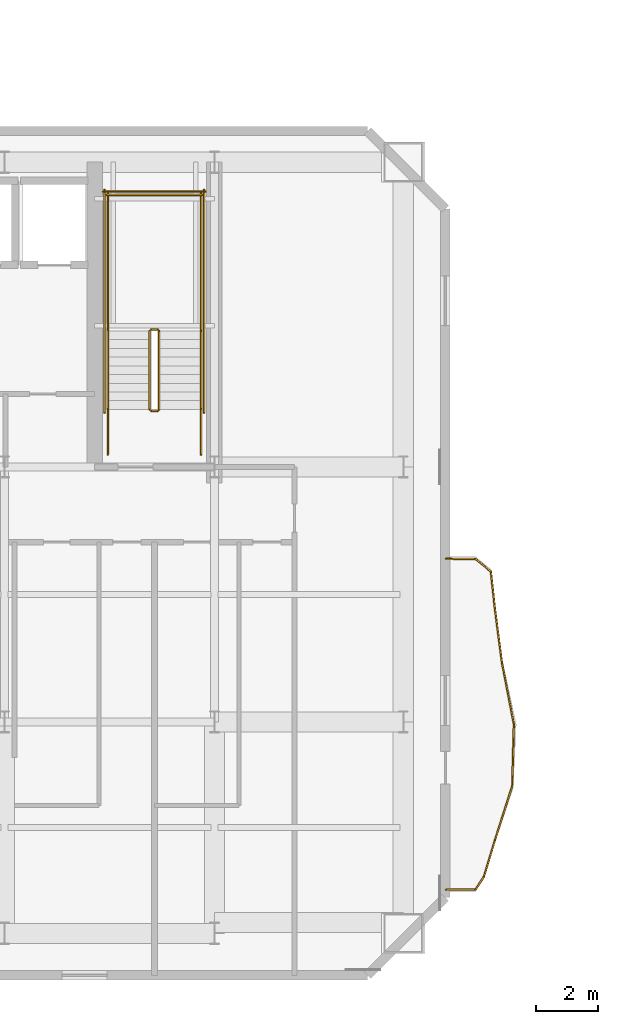
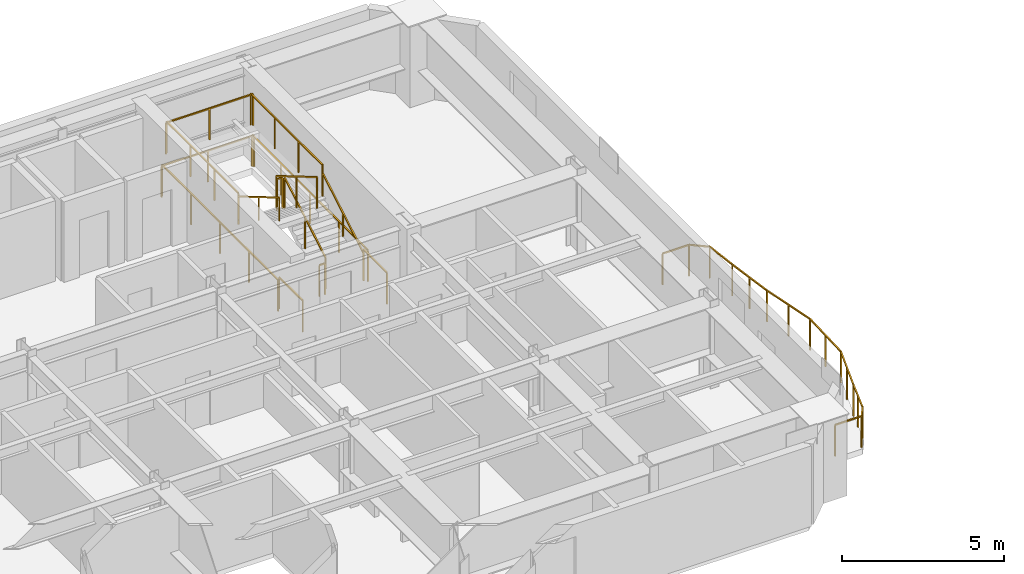
# One storey, part 14 of 16: 24 railings.
"""IFC4 building model written with IfcOpenShell, lengths in metres."""

import ifcopenshell
import ifcopenshell.guid

model = None  # the IFC model being written
_history = None  # IfcOwnerHistory: only IFC2X3 demands one
_inside = {}  # id of a spatial element -> (the spatial element, [elements in it])
_under = {}  # id of a project, library or spatial element -> (it, [spatial elements below it])
_declared = {}  # id of a project -> (the project, [libraries it declares])
_typed = {}  # id of a type object -> (the type object, [elements of that type])
_made_of = {}  # id of a material, layer set ... -> (it, [elements and type objects made of it])


def new_model(schema):
    """Start an empty IFC model of exactly this schema.

    Asked for "IFC4X3", IfcOpenShell would pick the latest addendum, in which some entities
    have other attributes; the version numbers below select the first issue.
    IFC2X3 requires an IfcOwnerHistory on every rooted entity: one is made here for all.
    """
    global model, _history
    if schema == "IFC4X3":
        model = ifcopenshell.file(schema_version=(4, 3, 0, 0))
    else:
        model = ifcopenshell.file(schema=schema)
    _inside.clear()
    _under.clear()
    _declared.clear()
    _typed.clear()
    _made_of.clear()
    _history = None
    if model.schema == "IFC2X3":
        org = make("IfcOrganization", Name="unknown")
        user = make(
            "IfcPersonAndOrganization",
            ThePerson=make("IfcPerson", FamilyName="unknown"),
            TheOrganization=org,
        )
        app = make(
            "IfcApplication",
            ApplicationDeveloper=org,
            Version="unknown",
            ApplicationFullName="unknown",
            ApplicationIdentifier="unknown",
        )
        _history = make(
            "IfcOwnerHistory",
            OwningUser=user,
            OwningApplication=app,
            ChangeAction="ADDED",
            CreationDate=0,
        )
    return model


def make(cls, **values):
    """One entity of the class cls with the attributes given. An attribute that is None is left unset."""
    return model.create_entity(
        cls, **{name: value for name, value in values.items() if value is not None}
    )


def rooted(cls, **values):
    """An entity with a GlobalId (a new one), such as an element, a storey or a relation."""
    return make(cls, GlobalId=ifcopenshell.guid.new(), OwnerHistory=_history, **values)


def si_unit(unit_type, name, prefix=None):
    """IfcSIUnit, for example si_unit("LENGTHUNIT", "METRE", prefix="MILLI")."""
    return make("IfcSIUnit", UnitType=unit_type, Prefix=prefix, Name=name)


def assignment(units):
    """IfcUnitAssignment: the units of a project."""
    return None if units is None else make("IfcUnitAssignment", Units=units)


def point(xyz):
    """IfcCartesianPoint."""
    return None if xyz is None else make("IfcCartesianPoint", Coordinates=xyz)


def direction(xyz):
    """IfcDirection."""
    return None if xyz is None else make("IfcDirection", DirectionRatios=xyz)


def frame(location, z_axis=None, x_axis=None):
    """IfcAxis2Placement3D, a coordinate frame: its origin and axes. An axis left out is left unset."""
    return make(
        "IfcAxis2Placement3D",
        Location=point(location),
        Axis=direction(z_axis),
        RefDirection=direction(x_axis),
    )


def frame_2d(location, x_axis=None):
    """IfcAxis2Placement2D, a coordinate frame in the plane: its origin and x axis."""
    return make(
        "IfcAxis2Placement2D", Location=point(location), RefDirection=direction(x_axis)
    )


def origin():
    """The frame at (0, 0, 0) with its axes left unset."""
    return frame((0.0, 0.0, 0.0))


def origin_2d():
    """The frame at (0, 0) in the plane with its x axis left unset."""
    return frame_2d((0.0, 0.0))


def place(relative_to, where):
    """IfcLocalPlacement: puts the frame where relative to a parent placement (None: the world)."""
    return make(
        "IfcLocalPlacement", PlacementRelTo=relative_to, RelativePlacement=where
    )


def context(
    kind, dimensions, precision=None, world=None, true_north=None, identifier=None
):
    """IfcGeometricRepresentationContext, for example the 3D "Model" context."""
    return make(
        "IfcGeometricRepresentationContext",
        ContextIdentifier=identifier,
        ContextType=kind,
        CoordinateSpaceDimension=dimensions,
        Precision=precision,
        WorldCoordinateSystem=world,
        TrueNorth=true_north,
    )


def subcontext(parent, identifier, kind, view, scale=None):
    """IfcGeometricRepresentationSubContext, for example "Body" below "Model"."""
    return make(
        "IfcGeometricRepresentationSubContext",
        ContextIdentifier=identifier,
        ContextType=kind,
        ParentContext=parent,
        TargetScale=scale,
        TargetView=view,
    )


def project(units=None, contexts=None):
    """IfcProject with its units and contexts."""
    return rooted(
        "IfcProject",
        Name="project",
        RepresentationContexts=contexts,
        UnitsInContext=assignment(units),
    )


def spatial(cls, under=None, at=None, **own):
    """A site, building, storey or space (cls), placed at a placement, below another one or the project."""
    s = rooted(cls, ObjectPlacement=at, **own)
    if under is not None:
        _under.setdefault(under.id(), (under, []))[1].append(s)
    return s


def profile(cls, at=None, kind="AREA", **sizes):
    """A parametric profile (cls). Its sizes go by their IFC names, for example OverallWidth=200.0."""
    return make(cls, ProfileType=kind, Position=at, **sizes)


def rectangle(**sizes):
    """IfcRectangleProfileDef."""
    return profile("IfcRectangleProfileDef", **sizes)


def extrude(swept, where, along, depth):
    """IfcExtrudedAreaSolid: the profile swept, set in the frame where, extruded along a direction by depth."""
    return make(
        "IfcExtrudedAreaSolid",
        SweptArea=swept,
        Position=where,
        ExtrudedDirection=direction(along),
        Depth=depth,
    )


def shape(context_of_items, identifier, shape_type, items):
    """IfcShapeRepresentation: the items that make up one representation, for example the "Body"."""
    return make(
        "IfcShapeRepresentation",
        ContextOfItems=context_of_items,
        RepresentationIdentifier=identifier,
        RepresentationType=shape_type,
        Items=items,
    )


def material(Name=None, Category=None):
    """IfcMaterial."""
    return make("IfcMaterial", Name=Name, Category=Category)


def made_of(thing, what):
    """Note that an element or type object is made of a material, layer set ...; save() writes the relation."""
    if what is not None:
        _made_of.setdefault(what.id(), (what, []))[1].append(thing)
    return thing


def type_object(cls, material=None, **own):
    """A type object (cls), such as IfcWallType, which elements share."""
    return made_of(rooted(cls, **own), material)


def element(
    cls,
    number,
    at=None,
    inside=None,
    cuts=None,
    type_object=None,
    material=None,
    context=None,
    identifier="Body",
    shape_type=None,
    held_by="IfcProductDefinitionShape",
    body=None,
    shapes=None,
    **own,
):
    """One element of the class cls, such as IfcWall. Its Tag is "e" and its number.

    at: its placement. inside: the storey or other place that contains it. cuts: it is an
    opening in that element (IfcRelVoidsElement). A single representation is given by context,
    identifier, shape_type and body (its items); several are given by shapes. held_by: the class
    of the entity that holds the representations. save() writes the other relations.
    """
    e = rooted(cls, Tag="e%d" % number, ObjectPlacement=at, **own)
    if body is not None:
        shapes = [shape(context, identifier, shape_type, body)]
    if shapes is not None:
        e.Representation = make(held_by, Representations=shapes)
    if inside is not None:
        _inside.setdefault(inside.id(), (inside, []))[1].append(e)
    if cuts is not None:
        rooted(
            "IfcRelVoidsElement", RelatingBuildingElement=cuts, RelatedOpeningElement=e
        )
    if type_object is not None:
        _typed.setdefault(type_object.id(), (type_object, []))[1].append(e)
    return made_of(e, material)


def aggregate(whole, parts):
    """IfcRelAggregates: a whole, such as a stair, and the parts it consists of."""
    return rooted("IfcRelAggregates", RelatingObject=whole, RelatedObjects=parts)


def save(model, path):
    """Write the relations noted so far, then the file.

    IfcRelAggregates (storeys below a building ...), IfcRelContainedInSpatialStructure (elements
    in a storey), IfcRelDefinesByType, IfcRelAssociatesMaterial and IfcRelDeclares: one each for
    every whole, place, type object, material and project.
    """
    for whole, parts in _under.values():
        aggregate(whole, parts)
    for where, things in _inside.values():
        rooted(
            "IfcRelContainedInSpatialStructure",
            RelatedElements=things,
            RelatingStructure=where,
        )
    for kind, things in _typed.values():
        rooted("IfcRelDefinesByType", RelatedObjects=things, RelatingType=kind)
    for what, things in _made_of.values():
        rooted("IfcRelAssociatesMaterial", RelatedObjects=things, RelatingMaterial=what)
    for by, libraries in _declared.values():
        rooted("IfcRelDeclares", RelatingContext=by, RelatedDefinitions=libraries)
    model.write(path)


model = new_model("IFC4")

# Units and contexts
model_context = context("Model", 3, precision=1e-05, world=origin(), true_north=direction((0.0, 1.0)))
body_context = subcontext(model_context, "Body", "Model", "MODEL_VIEW")
ifc_project = project(units=[si_unit("LENGTHUNIT", "METRE"), si_unit("AREAUNIT", "SQUARE_METRE"), si_unit("VOLUMEUNIT", "CUBIC_METRE"), si_unit("PLANEANGLEUNIT", "RADIAN"), si_unit("MASSUNIT", "GRAM", prefix="KILO")], contexts=[model_context])

# Site, building, storey
site_placement = place(None, origin())
site = spatial("IfcSite", under=ifc_project, at=site_placement, CompositionType="ELEMENT")
building_placement = place(site_placement, origin())
building = spatial("IfcBuilding", under=site, at=building_placement, Name="Haevon Station Towers", CompositionType="ELEMENT")
storey_placement = place(building_placement, frame((0.0, 0.0, 172.5)))
storey = spatial("IfcBuildingStorey", under=building, at=storey_placement, Name="L47", CompositionType="ELEMENT", Elevation=172.5)

# Railings
ifc_material = material(Name="Steel S355", Category="steel")
railing_type_1 = type_object("IfcRailingType", Name="GRD-EXT1200", PredefinedType="GUARDRAIL", material=ifc_material)
railing_1_placement = place(storey_placement, frame((58.448486328125, 24.602783203125, 0.0)))
element("IfcRailing", 1, at=railing_1_placement, inside=storey, type_object=railing_type_1, Name="L47 Perimeter Guardrail 1", PredefinedType="GUARDRAIL", context=body_context, shape_type="SweptSolid", body=[
    extrude(rectangle(XDim=0.048095703125, YDim=0.048095703125, at=origin_2d()), frame((0.0, 0.0, 1.17578125), z_axis=(0.999997857851, 0.002069853263, 0.0), x_axis=(-0.002069853263, 0.999997857851, 0.0)), (0.0, 0.0, 1.0), 0.943603515625),
    extrude(rectangle(XDim=0.0419921875, YDim=0.0419921875, at=origin_2d()), origin(), (0.0, 0.0, 1.0), 1.15185546875),
    extrude(rectangle(XDim=0.0419921875, YDim=0.0419921875, at=origin_2d()), frame((0.943603515625, 0.001953125, 0.0)), (0.0, 0.0, 1.0), 1.15185546875),
])
railing_2_placement = place(storey_placement, frame((59.39208984375, 24.604736328125, 0.0)))
element("IfcRailing", 2, at=railing_2_placement, inside=storey, type_object=railing_type_1, Name="L47 Perimeter Guardrail 2", PredefinedType="GUARDRAIL", context=body_context, shape_type="SweptSolid", body=[
    extrude(rectangle(XDim=0.048095703125, YDim=0.048095703125, at=origin_2d()), frame((0.0, 0.0, 1.17578125), z_axis=(0.55115261601, 0.834404454606, 0.0), x_axis=(-0.834404454606, 0.55115261601, 0.0)), (0.0, 0.0, 1.0), 0.492919921875),
    extrude(rectangle(XDim=0.0419921875, YDim=0.0419921875, at=origin_2d()), origin(), (0.0, 0.0, 1.0), 1.15185546875),
    extrude(rectangle(XDim=0.0419921875, YDim=0.0419921875, at=origin_2d()), frame((0.271728515625, 0.411376953125, 0.0)), (0.0, 0.0, 1.0), 1.15185546875),
])
railing_3_placement = place(storey_placement, frame((59.663818359375, 25.01611328125, 0.0)))
element("IfcRailing", 3, at=railing_3_placement, inside=storey, type_object=railing_type_1, Name="L47 Perimeter Guardrail 3", PredefinedType="GUARDRAIL", context=body_context, shape_type="SweptSolid", body=[
    extrude(rectangle(XDim=0.048095703125, YDim=0.048095703125, at=origin_2d()), frame((0.0, 0.0, 1.17578125), z_axis=(0.289563961205, 0.957158666247, 0.0), x_axis=(-0.957158666247, 0.289563961205, 0.0)), (0.0, 0.0, 1.0), 1.22265625),
    extrude(rectangle(XDim=0.0419921875, YDim=0.0419921875, at=origin_2d()), origin(), (0.0, 0.0, 1.0), 1.15185546875),
    extrude(rectangle(XDim=0.0419921875, YDim=0.0419921875, at=origin_2d()), frame((0.177001953125, 0.5849609375, 0.0)), (0.0, 0.0, 1.0), 1.15185546875),
    extrude(rectangle(XDim=0.0419921875, YDim=0.0419921875, at=origin_2d()), frame((0.35400390625, 1.170166015625, 0.0)), (0.0, 0.0, 1.0), 1.15185546875),
])
railing_4_placement = place(storey_placement, frame((60.017822265625, 26.186279296875, 0.0)))
element("IfcRailing", 4, at=railing_4_placement, inside=storey, type_object=railing_type_1, Name="L47 Perimeter Guardrail 4", PredefinedType="GUARDRAIL", context=body_context, shape_type="SweptSolid", body=[
    extrude(rectangle(XDim=0.048095703125, YDim=0.048095703125, at=origin_2d()), frame((0.0, 0.0, 1.17578125), z_axis=(0.305017363439, 0.952346789778, 0.0), x_axis=(-0.952346789778, 0.305017363439, 0.0)), (0.0, 0.0, 1.0), 1.8330078125),
    extrude(rectangle(XDim=0.0419921875, YDim=0.0419921875, at=origin_2d()), origin(), (0.0, 0.0, 1.0), 1.15185546875),
    extrude(rectangle(XDim=0.0419921875, YDim=0.0419921875, at=origin_2d()), frame((0.279541015625, 0.872802734375, 0.0)), (0.0, 0.0, 1.0), 1.15185546875),
    extrude(rectangle(XDim=0.0419921875, YDim=0.0419921875, at=origin_2d()), frame((0.55908203125, 1.74560546875, 0.0)), (0.0, 0.0, 1.0), 1.15185546875),
])
railing_5_placement = place(storey_placement, frame((60.576904296875, 27.931884765625, 0.0)))
element("IfcRailing", 5, at=railing_5_placement, inside=storey, type_object=railing_type_1, Name="L47 Perimeter Guardrail 5", PredefinedType="GUARDRAIL", context=body_context, shape_type="SweptSolid", body=[
    extrude(rectangle(XDim=0.048095703125, YDim=0.048095703125, at=origin_2d()), frame((0.0, 0.0, 1.17578125), z_axis=(0.026326002365, 0.999653410738, 0.0), x_axis=(-0.999653410738, 0.026326002365, 0.0)), (0.0, 0.0, 1.0), 1.993896484375),
    extrude(rectangle(XDim=0.0419921875, YDim=0.0419921875, at=origin_2d()), origin(), (0.0, 0.0, 1.0), 1.15185546875),
    extrude(rectangle(XDim=0.0419921875, YDim=0.0419921875, at=origin_2d()), frame((0.0263671875, 0.99658203125, 0.0)), (0.0, 0.0, 1.0), 1.15185546875),
    extrude(rectangle(XDim=0.0419921875, YDim=0.0419921875, at=origin_2d()), frame((0.052490234375, 1.9931640625, 0.0)), (0.0, 0.0, 1.0), 1.15185546875),
])
railing_6_placement = place(storey_placement, frame((60.62939453125, 29.925048828125, 0.0)))
element("IfcRailing", 6, at=railing_6_placement, inside=storey, type_object=railing_type_1, Name="L47 Perimeter Guardrail 6", PredefinedType="GUARDRAIL", context=body_context, shape_type="SweptSolid", body=[
    extrude(rectangle(XDim=0.048095703125, YDim=0.048095703125, at=origin_2d()), frame((0.0, 0.0, 1.17578125), z_axis=(-0.189669695752, 0.981847954886, 0.0), x_axis=(-0.981847954886, -0.189669695752, 0.0)), (0.0, 0.0, 1.0), 2.026123046875),
    extrude(rectangle(XDim=0.0419921875, YDim=0.0419921875, at=origin_2d()), origin(), (0.0, 0.0, 1.0), 1.15185546875),
    extrude(rectangle(XDim=0.0419921875, YDim=0.0419921875, at=origin_2d()), frame((-0.192138671875, 0.99462890625, 0.0)), (0.0, 0.0, 1.0), 1.15185546875),
    extrude(rectangle(XDim=0.0419921875, YDim=0.0419921875, at=origin_2d()), frame((-0.38427734375, 1.9892578125, 0.0)), (0.0, 0.0, 1.0), 1.15185546875),
])
railing_7_placement = place(storey_placement, frame((60.2451171875, 31.914306640625, 0.0)))
element("IfcRailing", 7, at=railing_7_placement, inside=storey, type_object=railing_type_1, Name="L47 Perimeter Guardrail 7", PredefinedType="GUARDRAIL", context=body_context, shape_type="SweptSolid", body=[
    extrude(rectangle(XDim=0.048095703125, YDim=0.048095703125, at=origin_2d()), frame((0.0, 0.0, 1.17578125), z_axis=(-0.128853983345, 0.991663577518, 0.0), x_axis=(-0.991663577518, -0.128853983345, 0.0)), (0.0, 0.0, 1.0), 1.763916015625),
    extrude(rectangle(XDim=0.0419921875, YDim=0.0419921875, at=origin_2d()), origin(), (0.0, 0.0, 1.0), 1.15185546875),
    extrude(rectangle(XDim=0.0419921875, YDim=0.0419921875, at=origin_2d()), frame((-0.11376953125, 0.87451171875, 0.0)), (0.0, 0.0, 1.0), 1.15185546875),
    extrude(rectangle(XDim=0.0419921875, YDim=0.0419921875, at=origin_2d()), frame((-0.227294921875, 1.749267578125, 0.0)), (0.0, 0.0, 1.0), 1.15185546875),
])
railing_8_placement = place(storey_placement, frame((60.017822265625, 33.66357421875, 0.0)))
element("IfcRailing", 8, at=railing_8_placement, inside=storey, type_object=railing_type_1, Name="L47 Perimeter Guardrail 8", PredefinedType="GUARDRAIL", context=body_context, shape_type="SweptSolid", body=[
    extrude(rectangle(XDim=0.048095703125, YDim=0.048095703125, at=origin_2d()), frame((0.0, 0.0, 1.17578125), z_axis=(-0.108246304378, 0.994124105727, 0.0), x_axis=(-0.994124105727, -0.108246304378, 0.0)), (0.0, 0.0, 1.0), 1.17724609375),
    extrude(rectangle(XDim=0.0419921875, YDim=0.0419921875, at=origin_2d()), origin(), (0.0, 0.0, 1.0), 1.15185546875),
    extrude(rectangle(XDim=0.0419921875, YDim=0.0419921875, at=origin_2d()), frame((-0.12744140625, 1.17041015625, 0.0)), (0.0, 0.0, 1.0), 1.15185546875),
])
railing_9_placement = place(storey_placement, frame((59.890380859375, 34.833984375, 0.0)))
element("IfcRailing", 9, at=railing_9_placement, inside=storey, type_object=railing_type_1, Name="L47 Perimeter Guardrail 9", PredefinedType="GUARDRAIL", context=body_context, shape_type="SweptSolid", body=[
    extrude(rectangle(XDim=0.048095703125, YDim=0.048095703125, at=origin_2d()), frame((0.0, 0.0, 1.17578125), z_axis=(-0.771340811858, 0.636422306305, 0.0), x_axis=(-0.636422306305, -0.771340811858, 0.0)), (0.0, 0.0, 1.0), 0.64599609375),
    extrude(rectangle(XDim=0.0419921875, YDim=0.0419921875, at=origin_2d()), origin(), (0.0, 0.0, 1.0), 1.15185546875),
    extrude(rectangle(XDim=0.0419921875, YDim=0.0419921875, at=origin_2d()), frame((-0.498291015625, 0.4111328125, 0.0)), (0.0, 0.0, 1.0), 1.15185546875),
])
railing_10_placement = place(storey_placement, frame((59.39208984375, 35.2451171875, 0.0)))
element("IfcRailing", 10, at=railing_10_placement, inside=storey, type_object=railing_type_1, Name="L47 Perimeter Guardrail 10", PredefinedType="GUARDRAIL", context=body_context, shape_type="SweptSolid", body=[
    extrude(rectangle(XDim=0.048095703125, YDim=0.048095703125, at=origin_2d()), frame((0.0, 0.0, 1.17578125), z_axis=(-0.999997857851, 0.002069853263, 0.0), x_axis=(-0.002069853263, -0.999997857851, 0.0)), (0.0, 0.0, 1.0), 0.943603515625),
    extrude(rectangle(XDim=0.0419921875, YDim=0.0419921875, at=origin_2d()), origin(), (0.0, 0.0, 1.0), 1.15185546875),
    extrude(rectangle(XDim=0.0419921875, YDim=0.0419921875, at=origin_2d()), frame((-0.943603515625, 0.001953125, 0.0)), (0.0, 0.0, 1.0), 1.15185546875),
])
railing_type_2 = type_object("IfcRailingType", Name="GRD-STR1200", PredefinedType="GUARDRAIL", material=ifc_material)
railing_11_placement = place(storey_placement, frame((49.219970703125, 40.050048828125, 0.1650390625)))
element("IfcRailing", 11, at=railing_11_placement, inside=storey, type_object=railing_type_2, Name="L47 ST2 Stair Guard 1", PredefinedType="GUARDRAIL", context=body_context, shape_type="SweptSolid", body=[
    extrude(rectangle(XDim=0.048095703125, YDim=0.048095703125, at=origin_2d()), frame((0.0, 0.0, 1.17578125), z_axis=(0.0, 0.861560626758, 0.507654692109), x_axis=(-1.0, 0.0, 0.0)), (0.0, 0.0, 1.0), 2.925048828125),
    extrude(rectangle(XDim=0.0419921875, YDim=0.0419921875, at=origin_2d()), origin(), (0.0, 0.0, 1.0), 1.15185546875),
    extrude(rectangle(XDim=0.0419921875, YDim=0.0419921875, at=origin_2d()), frame((0.0, 1.260009765625, 0.742431640625)), (0.0, 0.0, 1.0), 1.15185546875),
    extrude(rectangle(XDim=0.0419921875, YDim=0.0419921875, at=origin_2d()), frame((0.0, 2.52001953125, 1.48486328125)), (0.0, 0.0, 1.0), 1.15185546875),
])
railing_12_placement = place(storey_placement, frame((49.169921875, 42.6201171875, 1.64990234375)))
element("IfcRailing", 12, at=railing_12_placement, inside=storey, type_object=railing_type_2, Name="L47 ST2 Stair Guard 2", PredefinedType="GUARDRAIL", context=body_context, shape_type="SweptSolid", body=[
    extrude(rectangle(XDim=0.048095703125, YDim=0.048095703125, at=origin_2d()), frame((0.0, 0.0, 1.17578125), z_axis=(-1.0, 0.0, 0.0), x_axis=(0.0, -1.0, 0.0)), (0.0, 0.0, 1.0), 0.199951171875),
    extrude(rectangle(XDim=0.0419921875, YDim=0.0419921875, at=origin_2d()), origin(), (0.0, 0.0, 1.0), 1.15185546875),
    extrude(rectangle(XDim=0.0419921875, YDim=0.0419921875, at=origin_2d()), frame((-0.199951171875, 0.0, 0.0)), (0.0, 0.0, 1.0), 1.15185546875),
])
for number, where, name in (
    (13, (50.570068359375, 42.570068359375, 1.64990234375), "L47 ST2 Stair Guard 3"),
    (14, (47.570068359375, 42.570068359375, 1.64990234375), "L47 ST2 Stair Guard 4"),
):
    element("IfcRailing", number, at=place(storey_placement, frame(where)), inside=storey, type_object=railing_type_2, Name=name, PredefinedType="GUARDRAIL", context=body_context, shape_type="SweptSolid", body=[
        extrude(rectangle(XDim=0.048095703125, YDim=0.048095703125, at=origin_2d()), frame((0.0, 0.0, 1.17578125), z_axis=(0.0, 1.0, 0.0), x_axis=(-1.0, 0.0, 0.0)), (0.0, 0.0, 1.0), 4.429931640625),
        extrude(rectangle(XDim=0.0419921875, YDim=0.0419921875, at=origin_2d()), origin(), (0.0, 0.0, 1.0), 1.15185546875),
        extrude(rectangle(XDim=0.0419921875, YDim=0.0419921875, at=origin_2d()), frame((0.0, 1.4765625, 0.0)), (0.0, 0.0, 1.0), 1.15185546875),
        extrude(rectangle(XDim=0.0419921875, YDim=0.0419921875, at=origin_2d()), frame((0.0, 2.953369140625, 0.0)), (0.0, 0.0, 1.0), 1.15185546875),
        extrude(rectangle(XDim=0.0419921875, YDim=0.0419921875, at=origin_2d()), frame((0.0, 4.429931640625, 0.0)), (0.0, 0.0, 1.0), 1.15185546875),
    ])
railing_13_placement = place(storey_placement, frame((50.6201171875, 46.949951171875, 1.64990234375)))
element("IfcRailing", 15, at=railing_13_placement, inside=storey, type_object=railing_type_2, Name="L47 ST2 Stair Guard 5", PredefinedType="GUARDRAIL", context=body_context, shape_type="SweptSolid", body=[
    extrude(rectangle(XDim=0.048095703125, YDim=0.048095703125, at=origin_2d()), frame((0.0, 0.0, 1.17578125), z_axis=(-1.0, 0.0, 0.0), x_axis=(0.0, -1.0, 0.0)), (0.0, 0.0, 1.0), 3.10009765625),
    extrude(rectangle(XDim=0.0419921875, YDim=0.0419921875, at=origin_2d()), origin(), (0.0, 0.0, 1.0), 1.15185546875),
    extrude(rectangle(XDim=0.0419921875, YDim=0.0419921875, at=origin_2d()), frame((-1.550048828125, 0.0, 0.0)), (0.0, 0.0, 1.0), 1.15185546875),
    extrude(rectangle(XDim=0.0419921875, YDim=0.0419921875, at=origin_2d()), frame((-3.10009765625, 0.0, 0.0)), (0.0, 0.0, 1.0), 1.15185546875),
])
railing_14_placement = place(storey_placement, frame((48.919921875, 42.570068359375, 1.81494140625)))
element("IfcRailing", 16, at=railing_14_placement, inside=storey, type_object=railing_type_2, Name="L47 ST2 Stair Guard 6", PredefinedType="GUARDRAIL", context=body_context, shape_type="SweptSolid", body=[
    extrude(rectangle(XDim=0.048095703125, YDim=0.048095703125, at=origin_2d()), frame((0.0, 0.0, 1.17578125), z_axis=(0.0, -0.86152411907, 0.507716645641), x_axis=(1.0, 0.0, 0.0)), (0.0, 0.0, 1.0), 2.925048828125),
    extrude(rectangle(XDim=0.0419921875, YDim=0.0419921875, at=origin_2d()), origin(), (0.0, 0.0, 1.0), 1.15185546875),
    extrude(rectangle(XDim=0.0419921875, YDim=0.0419921875, at=origin_2d()), frame((0.0, -1.260009765625, 0.74267578125)), (0.0, 0.0, 1.0), 1.15185546875),
    extrude(rectangle(XDim=0.0419921875, YDim=0.0419921875, at=origin_2d()), frame((0.0, -2.52001953125, 1.485107421875)), (0.0, 0.0, 1.0), 1.15185546875),
])
railing_15_placement = place(storey_placement, frame((49.169921875, 40.0, 0.0)))
element("IfcRailing", 17, at=railing_15_placement, inside=storey, type_object=railing_type_2, Name="L47 ST2 Stair Guard 7", PredefinedType="GUARDRAIL", context=body_context, shape_type="SweptSolid", body=[
    extrude(rectangle(XDim=0.048095703125, YDim=0.048095703125, at=origin_2d()), frame((0.0, 0.0, 1.17578125), z_axis=(-1.0, 0.0, 0.0), x_axis=(0.0, -1.0, 0.0)), (0.0, 0.0, 1.0), 0.199951171875),
    extrude(rectangle(XDim=0.0419921875, YDim=0.0419921875, at=origin_2d()), origin(), (0.0, 0.0, 1.0), 1.15185546875),
    extrude(rectangle(XDim=0.0419921875, YDim=0.0419921875, at=origin_2d()), frame((-0.199951171875, 0.0, 0.0)), (0.0, 0.0, 1.0), 1.15185546875),
])
for number, where, name in (
    (18, (50.570068359375, 38.60009765625, 0.0), "L47 ST2 Stair Guard 8"),
    (19, (47.570068359375, 38.60009765625, 0.0), "L47 ST2 Stair Guard 9"),
):
    element("IfcRailing", number, at=place(storey_placement, frame(where)), inside=storey, type_object=railing_type_2, Name=name, PredefinedType="GUARDRAIL", context=body_context, shape_type="SweptSolid", body=[
        extrude(rectangle(XDim=0.048095703125, YDim=0.048095703125, at=origin_2d()), frame((0.0, 0.0, 1.17578125), z_axis=(0.0, 1.0, 0.0), x_axis=(-1.0, 0.0, 0.0)), (0.0, 0.0, 1.0), 1.449951171875),
        extrude(rectangle(XDim=0.0419921875, YDim=0.0419921875, at=origin_2d()), origin(), (0.0, 0.0, 1.0), 1.15185546875),
        extrude(rectangle(XDim=0.0419921875, YDim=0.0419921875, at=origin_2d()), frame((0.0, 1.449951171875, 0.0)), (0.0, 0.0, 1.0), 1.15185546875),
    ])
for number, where, name in (
    (20, (50.669921875, 39.949951171875, 0.0), "L47 ST2 Stair Guard 10"),
    (21, (47.469970703125, 39.949951171875, 0.0), "L47 ST2 Stair Guard 11"),
):
    element("IfcRailing", number, at=place(storey_placement, frame(where)), inside=storey, type_object=railing_type_2, Name=name, PredefinedType="GUARDRAIL", context=body_context, shape_type="SweptSolid", body=[
        extrude(rectangle(XDim=0.048095703125, YDim=0.048095703125, at=origin_2d()), frame((0.0, 0.0, 1.17578125), z_axis=(0.0, 1.0, 0.0), x_axis=(-1.0, 0.0, 0.0)), (0.0, 0.0, 1.0), 7.150146484375),
        extrude(rectangle(XDim=0.0419921875, YDim=0.0419921875, at=origin_2d()), origin(), (0.0, 0.0, 1.0), 1.15185546875),
        extrude(rectangle(XDim=0.0419921875, YDim=0.0419921875, at=origin_2d()), frame((0.0, 1.78759765625, 0.0)), (0.0, 0.0, 1.0), 1.15185546875),
        extrude(rectangle(XDim=0.0419921875, YDim=0.0419921875, at=origin_2d()), frame((0.0, 3.5751953125, 0.0)), (0.0, 0.0, 1.0), 1.15185546875),
        extrude(rectangle(XDim=0.0419921875, YDim=0.0419921875, at=origin_2d()), frame((0.0, 5.362548828125, 0.0)), (0.0, 0.0, 1.0), 1.15185546875),
        extrude(rectangle(XDim=0.0419921875, YDim=0.0419921875, at=origin_2d()), frame((0.0, 7.150146484375, 0.0)), (0.0, 0.0, 1.0), 1.15185546875),
    ])
railing_16_placement = place(storey_placement, frame((50.719970703125, 47.050048828125, 0.0)))
element("IfcRailing", 22, at=railing_16_placement, inside=storey, type_object=railing_type_2, Name="L47 ST2 Stair Guard 12", PredefinedType="GUARDRAIL", context=body_context, shape_type="SweptSolid", body=[
    extrude(rectangle(XDim=0.048095703125, YDim=0.048095703125, at=origin_2d()), frame((0.0, 0.0, 1.17578125), z_axis=(-1.0, 0.0, 0.0), x_axis=(0.0, -1.0, 0.0)), (0.0, 0.0, 1.0), 3.300048828125),
    extrude(rectangle(XDim=0.0419921875, YDim=0.0419921875, at=origin_2d()), origin(), (0.0, 0.0, 1.0), 1.15185546875),
    extrude(rectangle(XDim=0.0419921875, YDim=0.0419921875, at=origin_2d()), frame((-1.64990234375, 0.0, 0.0)), (0.0, 0.0, 1.0), 1.15185546875),
    extrude(rectangle(XDim=0.0419921875, YDim=0.0419921875, at=origin_2d()), frame((-3.300048828125, 0.0, 0.0)), (0.0, 0.0, 1.0), 1.15185546875),
])
railing_type_3 = type_object("IfcRailingType", Name="HND-STR900", PredefinedType="HANDRAIL", material=ifc_material)
railing_17_placement = place(storey_placement, frame((50.570068359375, 40.050048828125, 0.1650390625)))
element("IfcRailing", 23, at=railing_17_placement, inside=storey, type_object=railing_type_3, Name="L47 ST2 Stair Handrail 1", PredefinedType="HANDRAIL", context=body_context, shape_type="SweptSolid", body=[
    extrude(rectangle(XDim=0.048095703125, YDim=0.048095703125, at=origin_2d()), frame((0.0, 0.0, 0.8759765625), z_axis=(0.0, 0.861560626758, 0.507654692109), x_axis=(-1.0, 0.0, 0.0)), (0.0, 0.0, 1.0), 2.925048828125),
    extrude(rectangle(XDim=0.0419921875, YDim=0.0419921875, at=origin_2d()), origin(), (0.0, 0.0, 1.0), 0.851806640625),
    extrude(rectangle(XDim=0.0419921875, YDim=0.0419921875, at=origin_2d()), frame((0.0, 1.260009765625, 0.742431640625)), (0.0, 0.0, 1.0), 0.851806640625),
    extrude(rectangle(XDim=0.0419921875, YDim=0.0419921875, at=origin_2d()), frame((0.0, 2.52001953125, 1.48486328125)), (0.0, 0.0, 1.0), 0.851806640625),
])
railing_18_placement = place(storey_placement, frame((47.570068359375, 42.570068359375, 1.81494140625)))
element("IfcRailing", 24, at=railing_18_placement, inside=storey, type_object=railing_type_3, Name="L47 ST2 Stair Handrail 2", PredefinedType="HANDRAIL", context=body_context, shape_type="SweptSolid", body=[
    extrude(rectangle(XDim=0.048095703125, YDim=0.048095703125, at=origin_2d()), frame((0.0, 0.0, 0.8759765625), z_axis=(0.0, -0.86152411907, 0.507716645641), x_axis=(1.0, 0.0, 0.0)), (0.0, 0.0, 1.0), 2.925048828125),
    extrude(rectangle(XDim=0.0419921875, YDim=0.0419921875, at=origin_2d()), origin(), (0.0, 0.0, 1.0), 0.851806640625),
    extrude(rectangle(XDim=0.0419921875, YDim=0.0419921875, at=origin_2d()), frame((0.0, -1.260009765625, 0.74267578125)), (0.0, 0.0, 1.0), 0.851806640625),
    extrude(rectangle(XDim=0.0419921875, YDim=0.0419921875, at=origin_2d()), frame((0.0, -2.52001953125, 1.485107421875)), (0.0, 0.0, 1.0), 0.851806640625),
])

save(model, "model.ifc")
